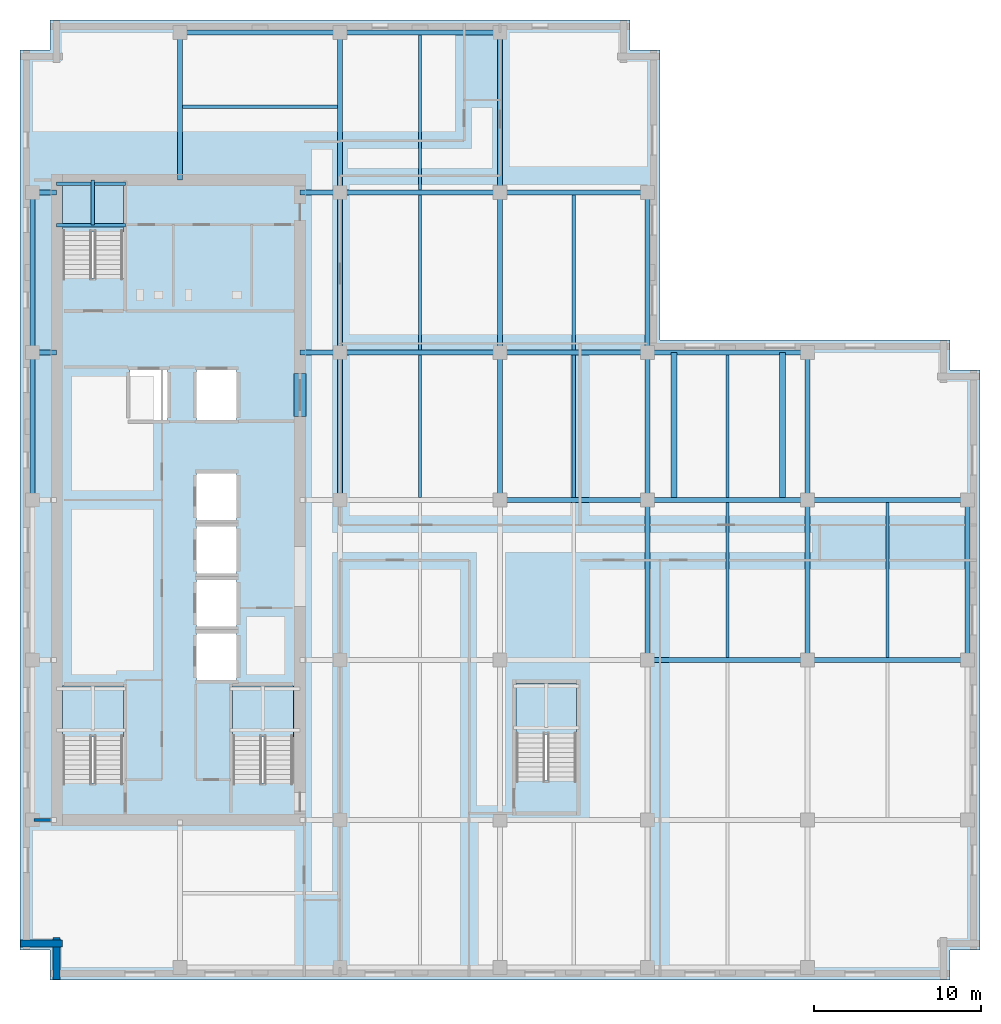
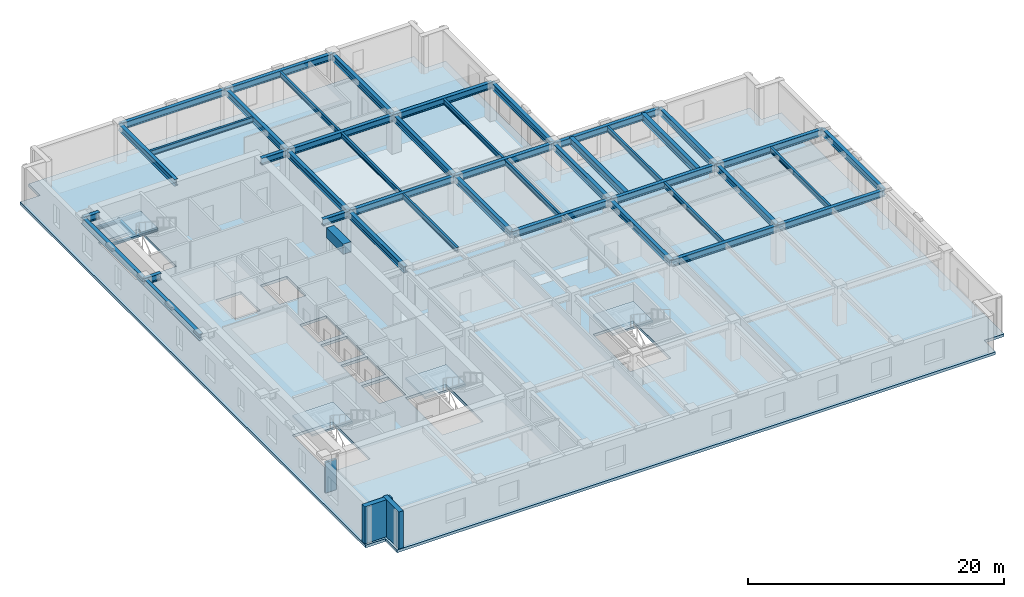
# One storey, part 2 of 14: 46 beams, 5 slabs, 3 walls, 4 elements without a shape of their own.
"""IFC4 building model written with IfcOpenShell, lengths in metres."""

from ifc_helpers import new_model, si_unit, direction, frame, frame_2d, origin, origin_2d, place, context, subcontext, project, spatial, polyline, rectangle, i_section, outline, extrude, material, layer, layer_set, material_profile, profile_set, type_object, element, aggregate, save


model = new_model("IFC4")

# Units and contexts
model_context = context("Model", 3, precision=1e-05, world=origin(), true_north=direction((0.0, 1.0)))
body_context = subcontext(model_context, "Body", "Model", "MODEL_VIEW")
ifc_project = project(units=[si_unit("LENGTHUNIT", "METRE"), si_unit("AREAUNIT", "SQUARE_METRE"), si_unit("VOLUMEUNIT", "CUBIC_METRE"), si_unit("PLANEANGLEUNIT", "RADIAN"), si_unit("MASSUNIT", "GRAM", prefix="KILO")], contexts=[model_context])

# Site, building, storey
site_placement = place(None, origin())
site = spatial("IfcSite", under=ifc_project, at=site_placement, CompositionType="ELEMENT")
building_placement = place(site_placement, origin())
building = spatial("IfcBuilding", under=site, at=building_placement, Name="Norrvale University Quadrangle", CompositionType="ELEMENT")
storey_placement = place(building_placement, frame((0.0, 0.0, 218.0)))
storey = spatial("IfcBuildingStorey", under=building, at=storey_placement, Name="L55", CompositionType="ELEMENT", Elevation=218.0)

# Beams
ifc_material_1 = material(Name="Steel 350W", Category="steel")
ifc_material_profile_1 = material_profile(ifc_material_1, i_section(OverallWidth=0.324951171875, OverallDepth=0.615966796875, WebThickness=0.013916015625, FlangeThickness=0.021484375, FilletRadius=0.01611328125, at=origin_2d()), Name="Steel 350W")
ifc_profile_set_1 = profile_set([ifc_material_profile_1], Name="Steel 350W")
beam_type_1 = type_object("IfcBeamType", Name="Beam Belt W610x174", PredefinedType="BEAM", material=ifc_profile_set_1)
for number, where, z_axis, x_axis, name in (
    (1, (37.64990234375, 19.199951171875, 3.23193359375), (1.0, 0.0, 0.0), (0.0, 1.0, 0.0), "Beam Belt W610x174 BM-L55-GX011"),
    (2, (47.25, 19.199951171875, 3.23193359375), (1.0, 0.0, 0.0), (0.0, 1.0, 0.0), "Beam Belt W610x174 BM-L55-GX012"),
):
    element("IfcBeam", number, at=place(storey_placement, frame(where, z_axis=z_axis, x_axis=x_axis)), inside=storey, type_object=beam_type_1, Name=name, PredefinedType="BEAM", context=body_context, shape_type="SweptSolid", body=[
        extrude(i_section(OverallWidth=0.324951171875, OverallDepth=0.615966796875, WebThickness=0.013916015625, FlangeThickness=0.021484375, FilletRadius=0.01611328125, at=origin_2d()), origin(), (0.0, 0.0, 1.0), 9.60009765625),
    ])
beam_1_placement = place(storey_placement, frame((28.800048828125, 28.800048828125, 3.23193359375), z_axis=(1.0, 0.0, 0.0), x_axis=(0.0, 1.0, 0.0)))
element("IfcBeam", 3, at=beam_1_placement, inside=storey, type_object=beam_type_1, Name="Beam Belt W610x174 BM-L55-GX014", PredefinedType="BEAM", context=body_context, shape_type="SweptSolid", body=[
    extrude(i_section(OverallWidth=0.324951171875, OverallDepth=0.615966796875, WebThickness=0.013916015625, FlangeThickness=0.021484375, FilletRadius=0.01611328125, at=origin_2d()), origin(), (0.0, 0.0, 1.0), 8.849853515625),
])
for number, where, z_axis, x_axis, name in (
    (4, (37.64990234375, 28.800048828125, 3.23193359375), (1.0, 0.0, 0.0), (0.0, 1.0, 0.0), "Beam Belt W610x174 BM-L55-GX015"),
    (5, (47.25, 28.800048828125, 3.23193359375), (1.0, 0.0, 0.0), (0.0, 1.0, 0.0), "Beam Belt W610x174 BM-L55-GX016"),
    (6, (19.199951171875, 37.64990234375, 3.23193359375), (1.0, 0.0, 0.0), (0.0, 1.0, 0.0), "Beam Belt W610x174 BM-L55-GX017"),
):
    element("IfcBeam", number, at=place(storey_placement, frame(where, z_axis=z_axis, x_axis=x_axis)), inside=storey, type_object=beam_type_1, Name=name, PredefinedType="BEAM", context=body_context, shape_type="SweptSolid", body=[
        extrude(i_section(OverallWidth=0.324951171875, OverallDepth=0.615966796875, WebThickness=0.013916015625, FlangeThickness=0.021484375, FilletRadius=0.01611328125, at=origin_2d()), origin(), (0.0, 0.0, 1.0), 9.60009765625),
    ])
beam_2_placement = place(storey_placement, frame((28.800048828125, 37.64990234375, 3.23193359375), z_axis=(1.0, 0.0, 0.0), x_axis=(0.0, 1.0, 0.0)))
element("IfcBeam", 7, at=beam_2_placement, inside=storey, type_object=beam_type_1, Name="Beam Belt W610x174 BM-L55-GX018", PredefinedType="BEAM", context=body_context, shape_type="SweptSolid", body=[
    extrude(i_section(OverallWidth=0.324951171875, OverallDepth=0.615966796875, WebThickness=0.013916015625, FlangeThickness=0.021484375, FilletRadius=0.01611328125, at=origin_2d()), origin(), (0.0, 0.0, 1.0), 8.849853515625),
])
for number, where, z_axis, x_axis, name in (
    (8, (37.64990234375, 37.64990234375, 3.19189453125), (1.0, 0.0, 0.0), (0.0, 1.0, 0.0), "Beam Belt W610x174 BM-L55-GX019"),
    (9, (19.199951171875, 47.25, 3.23193359375), (1.0, 0.0, 0.0), (0.0, 1.0, 0.0), "Beam Belt W610x174 BM-L55-GX020"),
):
    element("IfcBeam", number, at=place(storey_placement, frame(where, z_axis=z_axis, x_axis=x_axis)), inside=storey, type_object=beam_type_1, Name=name, PredefinedType="BEAM", context=body_context, shape_type="SweptSolid", body=[
        extrude(i_section(OverallWidth=0.324951171875, OverallDepth=0.615966796875, WebThickness=0.013916015625, FlangeThickness=0.021484375, FilletRadius=0.01611328125, at=origin_2d()), origin(), (0.0, 0.0, 1.0), 9.60009765625),
    ])
beam_3_placement = place(storey_placement, frame((28.800048828125, 47.25, 3.23193359375), z_axis=(1.0, 0.0, 0.0), x_axis=(0.0, 1.0, 0.0)))
element("IfcBeam", 10, at=beam_3_placement, inside=storey, type_object=beam_type_1, Name="Beam Belt W610x174 BM-L55-GX021", PredefinedType="BEAM", context=body_context, shape_type="SweptSolid", body=[
    extrude(i_section(OverallWidth=0.324951171875, OverallDepth=0.615966796875, WebThickness=0.013916015625, FlangeThickness=0.021484375, FilletRadius=0.01611328125, at=origin_2d()), origin(), (0.0, 0.0, 1.0), 8.849853515625),
])
beam_4_placement = place(storey_placement, frame((9.60009765625, 56.85009765625, 3.23193359375), z_axis=(1.0, 0.0, 0.0), x_axis=(0.0, 1.0, 0.0)))
element("IfcBeam", 11, at=beam_4_placement, inside=storey, type_object=beam_type_1, Name="Beam Belt W610x174 BM-L55-GX022", PredefinedType="BEAM", context=body_context, shape_type="SweptSolid", body=[
    extrude(i_section(OverallWidth=0.324951171875, OverallDepth=0.615966796875, WebThickness=0.013916015625, FlangeThickness=0.021484375, FilletRadius=0.01611328125, at=origin_2d()), origin(), (0.0, 0.0, 1.0), 9.599853515625),
])
beam_5_placement = place(storey_placement, frame((19.199951171875, 56.85009765625, 3.23193359375), z_axis=(1.0, 0.0, 0.0), x_axis=(0.0, 1.0, 0.0)))
element("IfcBeam", 12, at=beam_5_placement, inside=storey, type_object=beam_type_1, Name="Beam Belt W610x174 BM-L55-GX023", PredefinedType="BEAM", context=body_context, shape_type="SweptSolid", body=[
    extrude(i_section(OverallWidth=0.324951171875, OverallDepth=0.615966796875, WebThickness=0.013916015625, FlangeThickness=0.021484375, FilletRadius=0.01611328125, at=origin_2d()), origin(), (0.0, 0.0, 1.0), 9.60009765625),
])
beam_6_placement = place(storey_placement, frame((0.75, 28.800048828125, 3.23193359375), z_axis=(0.0, 1.0, 0.0), x_axis=(-1.0, 0.0, 0.0)))
element("IfcBeam", 13, at=beam_6_placement, inside=storey, type_object=beam_type_1, Name="Beam Belt W610x174 BM-L55-GY026", PredefinedType="BEAM", context=body_context, shape_type="SweptSolid", body=[
    extrude(i_section(OverallWidth=0.324951171875, OverallDepth=0.615966796875, WebThickness=0.013916015625, FlangeThickness=0.021484375, FilletRadius=0.01611328125, at=origin_2d()), origin(), (0.0, 0.0, 1.0), 8.849853515625),
])
beam_7_placement = place(storey_placement, frame((0.75, 37.64990234375, 3.23193359375), z_axis=(0.0, 1.0, 0.0), x_axis=(-1.0, 0.0, 0.0)))
element("IfcBeam", 14, at=beam_7_placement, inside=storey, type_object=beam_type_1, Name="Beam Belt W610x174 BM-L55-GY027", PredefinedType="BEAM", context=body_context, shape_type="SweptSolid", body=[
    extrude(i_section(OverallWidth=0.324951171875, OverallDepth=0.615966796875, WebThickness=0.013916015625, FlangeThickness=0.021484375, FilletRadius=0.01611328125, at=origin_2d()), origin(), (0.0, 0.0, 1.0), 9.60009765625),
])
beam_8_placement = place(storey_placement, frame((19.199951171875, 28.800048828125, 3.23193359375), z_axis=(0.0, 1.0, 0.0), x_axis=(-1.0, 0.0, 0.0)))
element("IfcBeam", 15, at=beam_8_placement, inside=storey, type_object=beam_type_1, Name="Beam Belt W610x174 BM-L55-GY031", PredefinedType="BEAM", context=body_context, shape_type="SweptSolid", body=[
    extrude(i_section(OverallWidth=0.324951171875, OverallDepth=0.615966796875, WebThickness=0.013916015625, FlangeThickness=0.021484375, FilletRadius=0.01611328125, at=origin_2d()), origin(), (0.0, 0.0, 1.0), 8.849853515625),
])
for number, where, z_axis, x_axis, name in (
    (16, (19.199951171875, 37.64990234375, 3.23193359375), (0.0, 1.0, 0.0), (-1.0, 0.0, 0.0), "Beam Belt W610x174 BM-L55-GY032"),
    (17, (19.199951171875, 47.25, 3.23193359375), (0.0, 1.0, 0.0), (-1.0, 0.0, 0.0), "Beam Belt W610x174 BM-L55-GY033"),
):
    element("IfcBeam", number, at=place(storey_placement, frame(where, z_axis=z_axis, x_axis=x_axis)), inside=storey, type_object=beam_type_1, Name=name, PredefinedType="BEAM", context=body_context, shape_type="SweptSolid", body=[
        extrude(i_section(OverallWidth=0.324951171875, OverallDepth=0.615966796875, WebThickness=0.013916015625, FlangeThickness=0.021484375, FilletRadius=0.01611328125, at=origin_2d()), origin(), (0.0, 0.0, 1.0), 9.60009765625),
    ])
beam_9_placement = place(storey_placement, frame((28.800048828125, 28.800048828125, 3.23193359375), z_axis=(0.0, 1.0, 0.0), x_axis=(-1.0, 0.0, 0.0)))
element("IfcBeam", 18, at=beam_9_placement, inside=storey, type_object=beam_type_1, Name="Beam Belt W610x174 BM-L55-GY037", PredefinedType="BEAM", context=body_context, shape_type="SweptSolid", body=[
    extrude(i_section(OverallWidth=0.324951171875, OverallDepth=0.615966796875, WebThickness=0.013916015625, FlangeThickness=0.021484375, FilletRadius=0.01611328125, at=origin_2d()), origin(), (0.0, 0.0, 1.0), 8.849853515625),
])
for number, where, z_axis, x_axis, name in (
    (19, (28.800048828125, 37.64990234375, 3.23193359375), (0.0, 1.0, 0.0), (-1.0, 0.0, 0.0), "Beam Belt W610x174 BM-L55-GY038"),
    (20, (28.800048828125, 47.25, 3.23193359375), (0.0, 1.0, 0.0), (-1.0, 0.0, 0.0), "Beam Belt W610x174 BM-L55-GY039"),
    (21, (37.64990234375, 19.199951171875, 3.23193359375), (0.0, 1.0, 0.0), (-1.0, 0.0, 0.0), "Beam Belt W610x174 BM-L55-GY042"),
):
    element("IfcBeam", number, at=place(storey_placement, frame(where, z_axis=z_axis, x_axis=x_axis)), inside=storey, type_object=beam_type_1, Name=name, PredefinedType="BEAM", context=body_context, shape_type="SweptSolid", body=[
        extrude(i_section(OverallWidth=0.324951171875, OverallDepth=0.615966796875, WebThickness=0.013916015625, FlangeThickness=0.021484375, FilletRadius=0.01611328125, at=origin_2d()), origin(), (0.0, 0.0, 1.0), 9.60009765625),
    ])
beam_10_placement = place(storey_placement, frame((37.64990234375, 28.800048828125, 3.23193359375), z_axis=(0.0, 1.0, 0.0), x_axis=(-1.0, 0.0, 0.0)))
element("IfcBeam", 22, at=beam_10_placement, inside=storey, type_object=beam_type_1, Name="Beam Belt W610x174 BM-L55-GY043", PredefinedType="BEAM", context=body_context, shape_type="SweptSolid", body=[
    extrude(i_section(OverallWidth=0.324951171875, OverallDepth=0.615966796875, WebThickness=0.013916015625, FlangeThickness=0.021484375, FilletRadius=0.01611328125, at=origin_2d()), origin(), (0.0, 0.0, 1.0), 8.849853515625),
])
for number, where, z_axis, x_axis, name in (
    (23, (37.64990234375, 37.64990234375, 3.23193359375), (0.0, 1.0, 0.0), (-1.0, 0.0, 0.0), "Beam Belt W610x174 BM-L55-GY044"),
    (24, (47.25, 19.199951171875, 3.23193359375), (0.0, 1.0, 0.0), (-1.0, 0.0, 0.0), "Beam Belt W610x174 BM-L55-GY047"),
):
    element("IfcBeam", number, at=place(storey_placement, frame(where, z_axis=z_axis, x_axis=x_axis)), inside=storey, type_object=beam_type_1, Name=name, PredefinedType="BEAM", context=body_context, shape_type="SweptSolid", body=[
        extrude(i_section(OverallWidth=0.324951171875, OverallDepth=0.615966796875, WebThickness=0.013916015625, FlangeThickness=0.021484375, FilletRadius=0.01611328125, at=origin_2d()), origin(), (0.0, 0.0, 1.0), 9.60009765625),
    ])
beam_11_placement = place(storey_placement, frame((47.25, 28.800048828125, 3.23193359375), z_axis=(0.0, 1.0, 0.0), x_axis=(-1.0, 0.0, 0.0)))
element("IfcBeam", 25, at=beam_11_placement, inside=storey, type_object=beam_type_1, Name="Beam Belt W610x174 BM-L55-GY048", PredefinedType="BEAM", context=body_context, shape_type="SweptSolid", body=[
    extrude(i_section(OverallWidth=0.324951171875, OverallDepth=0.615966796875, WebThickness=0.013916015625, FlangeThickness=0.021484375, FilletRadius=0.01611328125, at=origin_2d()), origin(), (0.0, 0.0, 1.0), 8.849853515625),
])
beam_12_placement = place(storey_placement, frame((56.85009765625, 19.199951171875, 3.23193359375), z_axis=(0.0, 1.0, 0.0), x_axis=(-1.0, 0.0, 0.0)))
element("IfcBeam", 26, at=beam_12_placement, inside=storey, type_object=beam_type_1, Name="Beam Belt W610x174 BM-L55-GY050", PredefinedType="BEAM", context=body_context, shape_type="SweptSolid", body=[
    extrude(i_section(OverallWidth=0.324951171875, OverallDepth=0.615966796875, WebThickness=0.013916015625, FlangeThickness=0.021484375, FilletRadius=0.01611328125, at=origin_2d()), origin(), (0.0, 0.0, 1.0), 9.60009765625),
])
beam_13_placement = place(storey_placement, frame((0.75, 37.64990234375, 3.23193359375), z_axis=(1.0, 0.0, 0.0), x_axis=(0.0, 1.0, 0.0)))
element("IfcBeam", 27, at=beam_13_placement, inside=storey, type_object=beam_type_1, Name="Beam Belt W610x174 BM-L55-GCW057", PredefinedType="BEAM", context=body_context, shape_type="SweptSolid", body=[
    extrude(i_section(OverallWidth=0.324951171875, OverallDepth=0.615966796875, WebThickness=0.013916015625, FlangeThickness=0.021484375, FilletRadius=0.01611328125, at=origin_2d()), origin(), (0.0, 0.0, 1.0), 1.449951171875),
])
beam_14_placement = place(storey_placement, frame((16.800048828125, 37.64990234375, 3.23193359375), z_axis=(1.0, 0.0, 0.0), x_axis=(0.0, 1.0, 0.0)))
element("IfcBeam", 28, at=beam_14_placement, inside=storey, type_object=beam_type_1, Name="Beam Belt W610x174 BM-L55-GCE058", PredefinedType="BEAM", context=body_context, shape_type="SweptSolid", body=[
    extrude(i_section(OverallWidth=0.324951171875, OverallDepth=0.615966796875, WebThickness=0.013916015625, FlangeThickness=0.021484375, FilletRadius=0.01611328125, at=origin_2d()), origin(), (0.0, 0.0, 1.0), 2.39990234375),
])
beam_15_placement = place(storey_placement, frame((0.75, 47.25, 3.23193359375), z_axis=(1.0, 0.0, 0.0), x_axis=(0.0, 1.0, 0.0)))
element("IfcBeam", 29, at=beam_15_placement, inside=storey, type_object=beam_type_1, Name="Beam Belt W610x174 BM-L55-GCW059", PredefinedType="BEAM", context=body_context, shape_type="SweptSolid", body=[
    extrude(i_section(OverallWidth=0.324951171875, OverallDepth=0.615966796875, WebThickness=0.013916015625, FlangeThickness=0.021484375, FilletRadius=0.01611328125, at=origin_2d()), origin(), (0.0, 0.0, 1.0), 1.449951171875),
])
beam_16_placement = place(storey_placement, frame((16.800048828125, 47.25, 3.23193359375), z_axis=(1.0, 0.0, 0.0), x_axis=(0.0, 1.0, 0.0)))
element("IfcBeam", 30, at=beam_16_placement, inside=storey, type_object=beam_type_1, Name="Beam Belt W610x174 BM-L55-GCE060", PredefinedType="BEAM", context=body_context, shape_type="SweptSolid", body=[
    extrude(i_section(OverallWidth=0.324951171875, OverallDepth=0.615966796875, WebThickness=0.013916015625, FlangeThickness=0.021484375, FilletRadius=0.01611328125, at=origin_2d()), origin(), (0.0, 0.0, 1.0), 2.39990234375),
])
beam_17_placement = place(storey_placement, frame((9.60009765625, 48.0, 3.23193359375), z_axis=(0.0, 1.0, 0.0), x_axis=(-1.0, 0.0, 0.0)))
element("IfcBeam", 31, at=beam_17_placement, inside=storey, type_object=beam_type_1, Name="Beam Belt W610x174 BM-L55-GCN079", PredefinedType="BEAM", context=body_context, shape_type="SweptSolid", body=[
    extrude(i_section(OverallWidth=0.324951171875, OverallDepth=0.615966796875, WebThickness=0.013916015625, FlangeThickness=0.021484375, FilletRadius=0.01611328125, at=origin_2d()), origin(), (0.0, 0.0, 1.0), 8.85009765625),
])
ifc_material_profile_2 = material_profile(ifc_material_1, i_section(OverallWidth=0.35498046875, OverallDepth=0.695068359375, WebThickness=0.015380859375, FlangeThickness=0.02490234375, FilletRadius=0.01806640625, at=origin_2d()), Name="Steel 350W")
ifc_profile_set_2 = profile_set([ifc_material_profile_2], Name="Steel 350W")
beam_type_2 = type_object("IfcBeamType", Name="Beam Belt W690x217", PredefinedType="BEAM", material=ifc_profile_set_2)
for number, where, z_axis, x_axis, name in (
    (32, (39.25, 28.800048828125, 3.152587890625), (0.0, 1.0, 0.0), (-1.0, 0.0, 0.0), "Sky Garden Loggia Edge Girder L56-1"),
    (33, (45.75, 28.800048828125, 3.152587890625), (0.0, 1.0, 0.0), (-1.0, 0.0, 0.0), "Sky Garden Loggia Edge Girder L56-2"),
):
    element("IfcBeam", number, at=place(storey_placement, frame(where, z_axis=z_axis, x_axis=x_axis)), inside=storey, type_object=beam_type_2, Name=name, PredefinedType="BEAM", context=body_context, shape_type="SweptSolid", body=[
        extrude(i_section(OverallWidth=0.35498046875, OverallDepth=0.695068359375, WebThickness=0.015380859375, FlangeThickness=0.02490234375, FilletRadius=0.01806640625, at=origin_2d()), origin(), (0.0, 0.0, 1.0), 8.849853515625),
    ])
ifc_material_2 = material(Name="Concrete C80/95", Category="concrete")
ifc_material_profile_3 = material_profile(ifc_material_2, rectangle(XDim=0.699951171875, YDim=0.949951171875, at=origin_2d()), Name="Concrete C80/95")
ifc_profile_set_3 = profile_set([ifc_material_profile_3], Name="Concrete C80/95")
beam_type_3 = type_object("IfcBeamType", Name="Beam Core Link 700x950", PredefinedType="LINTEL", material=ifc_profile_set_3)
beam_18_placement = place(storey_placement, frame((16.800048828125, 33.800048828125, 3.06494140625), z_axis=(0.0, 1.0, 0.0), x_axis=(-1.0, 0.0, 0.0)))
element("IfcBeam", 34, at=beam_18_placement, inside=storey, type_object=beam_type_3, Name="Core Coupling Lintel Beam L55-2", PredefinedType="LINTEL", context=body_context, shape_type="SweptSolid", body=[
    extrude(rectangle(XDim=0.699951171875, YDim=0.949951171875, at=origin_2d()), origin(), (0.0, 0.0, 1.0), 2.599853515625),
])
ifc_material_profile_4 = material_profile(ifc_material_1, i_section(OverallWidth=0.194091796875, OverallDepth=0.468994140625, WebThickness=0.0126953125, FlangeThickness=0.0205078125, FilletRadius=0.012939453125, at=origin_2d()), Name="Steel 350W")
ifc_profile_set_4 = profile_set([ifc_material_profile_4], Name="Steel 350W")
beam_type_4 = type_object("IfcBeamType", Name="Beam Floor W460x106", PredefinedType="BEAM", material=ifc_profile_set_4)
beam_19_placement = place(storey_placement, frame((24.0, 28.96240234375, 3.305419921875), z_axis=(0.0, 1.0, 0.0), x_axis=(-1.0, 0.0, 0.0)))
element("IfcBeam", 35, at=beam_19_placement, inside=storey, type_object=beam_type_4, Name="Beam Floor W460x106 BM-L55-J064", PredefinedType="BEAM", context=body_context, shape_type="SweptSolid", body=[
    extrude(i_section(OverallWidth=0.194091796875, OverallDepth=0.468994140625, WebThickness=0.0126953125, FlangeThickness=0.0205078125, FilletRadius=0.012939453125, at=origin_2d()), origin(), (0.0, 0.0, 1.0), 8.525146484375),
])
for number, where, z_axis, x_axis, name in (
    (36, (24.0, 37.8125, 3.305419921875), (0.0, 1.0, 0.0), (-1.0, 0.0, 0.0), "Beam Floor W460x106 BM-L55-J065"),
    (37, (24.0, 47.41259765625, 3.305419921875), (0.0, 1.0, 0.0), (-1.0, 0.0, 0.0), "Beam Floor W460x106 BM-L55-J066"),
):
    element("IfcBeam", number, at=place(storey_placement, frame(where, z_axis=z_axis, x_axis=x_axis)), inside=storey, type_object=beam_type_4, Name=name, PredefinedType="BEAM", context=body_context, shape_type="SweptSolid", body=[
        extrude(i_section(OverallWidth=0.194091796875, OverallDepth=0.468994140625, WebThickness=0.0126953125, FlangeThickness=0.0205078125, FilletRadius=0.012939453125, at=origin_2d()), origin(), (0.0, 0.0, 1.0), 9.27490234375),
    ])
beam_20_placement = place(storey_placement, frame((33.22509765625, 28.96240234375, 3.305419921875), z_axis=(0.0, 1.0, 0.0), x_axis=(-1.0, 0.0, 0.0)))
element("IfcBeam", 38, at=beam_20_placement, inside=storey, type_object=beam_type_4, Name="Beam Floor W460x106 BM-L55-J069", PredefinedType="BEAM", context=body_context, shape_type="SweptSolid", body=[
    extrude(i_section(OverallWidth=0.194091796875, OverallDepth=0.468994140625, WebThickness=0.0126953125, FlangeThickness=0.0205078125, FilletRadius=0.012939453125, at=origin_2d()), origin(), (0.0, 0.0, 1.0), 8.525146484375),
])
for number, where, z_axis, x_axis, name in (
    (39, (33.22509765625, 37.8125, 3.305419921875), (0.0, 1.0, 0.0), (-1.0, 0.0, 0.0), "Beam Floor W460x106 BM-L55-J070"),
    (40, (42.449951171875, 19.362548828125, 3.305419921875), (0.0, 1.0, 0.0), (-1.0, 0.0, 0.0), "Beam Floor W460x106 BM-L55-J073"),
):
    element("IfcBeam", number, at=place(storey_placement, frame(where, z_axis=z_axis, x_axis=x_axis)), inside=storey, type_object=beam_type_4, Name=name, PredefinedType="BEAM", context=body_context, shape_type="SweptSolid", body=[
        extrude(i_section(OverallWidth=0.194091796875, OverallDepth=0.468994140625, WebThickness=0.0126953125, FlangeThickness=0.0205078125, FilletRadius=0.012939453125, at=origin_2d()), origin(), (0.0, 0.0, 1.0), 9.27490234375),
    ])
beam_21_placement = place(storey_placement, frame((42.449951171875, 28.96240234375, 3.265380859375), z_axis=(0.0, 1.0, 0.0), x_axis=(-1.0, 0.0, 0.0)))
element("IfcBeam", 41, at=beam_21_placement, inside=storey, type_object=beam_type_4, Name="Beam Floor W460x106 BM-L55-J074", PredefinedType="BEAM", context=body_context, shape_type="SweptSolid", body=[
    extrude(i_section(OverallWidth=0.194091796875, OverallDepth=0.468994140625, WebThickness=0.0126953125, FlangeThickness=0.0205078125, FilletRadius=0.012939453125, at=origin_2d()), origin(), (0.0, 0.0, 1.0), 8.525146484375),
])
beam_22_placement = place(storey_placement, frame((52.050048828125, 19.362548828125, 3.305419921875), z_axis=(0.0, 1.0, 0.0), x_axis=(-1.0, 0.0, 0.0)))
element("IfcBeam", 42, at=beam_22_placement, inside=storey, type_object=beam_type_4, Name="Beam Floor W460x106 BM-L55-J076", PredefinedType="BEAM", context=body_context, shape_type="SweptSolid", body=[
    extrude(i_section(OverallWidth=0.194091796875, OverallDepth=0.468994140625, WebThickness=0.0126953125, FlangeThickness=0.0205078125, FilletRadius=0.012939453125, at=origin_2d()), origin(), (0.0, 0.0, 1.0), 9.27490234375),
])
beam_23_placement = place(storey_placement, frame((9.762451171875, 52.39990234375, 3.305419921875), z_axis=(1.0, 0.0, 0.0), x_axis=(0.0, 1.0, 0.0)))
element("IfcBeam", 43, at=beam_23_placement, inside=storey, type_object=beam_type_4, Name="Beam Floor W460x106 BM-L55-JCN080", PredefinedType="BEAM", context=body_context, shape_type="SweptSolid", body=[
    extrude(i_section(OverallWidth=0.194091796875, OverallDepth=0.468994140625, WebThickness=0.0126953125, FlangeThickness=0.0205078125, FilletRadius=0.012939453125, at=origin_2d()), origin(), (0.0, 0.0, 1.0), 9.275146484375),
])
ifc_material_profile_5 = material_profile(ifc_material_1, i_section(OverallWidth=0.201904296875, OverallDepth=0.2470703125, WebThickness=0.00732421875, FlangeThickness=0.010986328125, FilletRadius=0.011962890625, at=origin_2d()), Name="Steel 350W")
ifc_profile_set_5 = profile_set([ifc_material_profile_5], Name="Steel 350W")
beam_type_5 = type_object("IfcBeamType", Name="Beam Stair W250x49", PredefinedType="BEAM", material=ifc_profile_set_5)
for number, where, z_axis, x_axis, name in (
    (44, (2.199951171875, 45.2900390625, 1.576416015625), (1.0, 0.0, 0.0), (0.0, 1.0, 0.0), "Stair Mid-Landing Front Beam ST-02 L55"),
    (45, (2.199951171875, 47.77001953125, 1.576416015625), (1.0, 0.0, 0.0), (0.0, 1.0, 0.0), "Stair Mid-Landing Rear Beam ST-02 L55"),
):
    element("IfcBeam", number, at=place(storey_placement, frame(where, z_axis=z_axis, x_axis=x_axis)), inside=storey, type_object=beam_type_5, Name=name, PredefinedType="BEAM", context=body_context, shape_type="SweptSolid", body=[
        extrude(i_section(OverallWidth=0.201904296875, OverallDepth=0.2470703125, WebThickness=0.00732421875, FlangeThickness=0.010986328125, FilletRadius=0.011962890625, at=origin_2d()), origin(), (0.0, 0.0, 1.0), 4.14013671875),
    ])
ifc_material_profile_6 = material_profile(ifc_material_1, i_section(OverallWidth=0.202880859375, OverallDepth=0.202880859375, WebThickness=0.007080078125, FlangeThickness=0.010986328125, FilletRadius=0.010009765625, at=origin_2d()), Name="Steel 350W")
ifc_profile_set_6 = profile_set([ifc_material_profile_6], Name="Steel 350W")
beam_type_6 = type_object("IfcBeamType", Name="Beam Trim W200x46", PredefinedType="BEAM", material=ifc_profile_set_6)
beam_24_placement = place(storey_placement, frame((4.375, 45.2900390625, 1.598388671875), z_axis=(0.0, 1.0, 0.0), x_axis=(-1.0, 0.0, 0.0)))
element("IfcBeam", 46, at=beam_24_placement, inside=storey, type_object=beam_type_6, Name="Stair Mid-Landing Cross Beam ST-02 L55", PredefinedType="BEAM", context=body_context, shape_type="SweptSolid", body=[
    extrude(i_section(OverallWidth=0.202880859375, OverallDepth=0.202880859375, WebThickness=0.007080078125, FlangeThickness=0.010986328125, FilletRadius=0.010009765625, at=origin_2d()), origin(), (0.0, 0.0, 1.0), 2.7099609375),
])

# Stair, slab
ifc_material_3 = material(Name="Concrete C40/50", Category="concrete")
stair_type = type_object("IfcStairType", Name="Stair Tower Typ 3800", PredefinedType="TWO_STRAIGHT_RUN_STAIR", material=ifc_material_3)
stair_1_placement = place(storey_placement, origin())
stair_1 = element("IfcStair", 47, at=stair_1_placement, inside=storey, type_object=stair_type, Name="Exit Stair ST-01 L55", PredefinedType="TWO_STRAIGHT_RUN_STAIR")
ifc_layer_1 = layer(ifc_material_3, 0.199951171875, Name="Concrete C40/50")
ifc_layer_set_1 = layer_set([ifc_layer_1], Name="Concrete C40/50")
slab_type_1 = type_object("IfcSlabType", Name="Slab Landing 200", PredefinedType="LANDING", material=ifc_layer_set_1)
slab_1_placement = place(storey_placement, frame((0.0, 0.0, 1.699951171875)))
slab_1 = element("IfcSlab", 48, at=slab_1_placement, type_object=slab_type_1, Name="Exit Stair ST-01 L55 Mid Landing", PredefinedType="LANDING", context=body_context, shape_type="SweptSolid", body=[
    extrude(outline(polyline([(2.550048828125, 14.590087890625), (6.199951171875, 14.590087890625), (6.199951171875, 17.64990234375), (2.550048828125, 17.64990234375), (2.550048828125, 14.590087890625)])), origin(), (0.0, 0.0, 1.0), 0.199951171875),
])
aggregate(stair_1, [slab_1])

stair_2_placement = place(storey_placement, origin())
stair_2 = element("IfcStair", 49, at=stair_2_placement, inside=storey, type_object=stair_type, Name="Exit Stair ST-02 L55", PredefinedType="TWO_STRAIGHT_RUN_STAIR")
slab_2_placement = place(storey_placement, frame((0.0, 0.0, 1.699951171875)))
slab_2 = element("IfcSlab", 50, at=slab_2_placement, type_object=slab_type_1, Name="Exit Stair ST-02 L55 Mid Landing", PredefinedType="LANDING", context=body_context, shape_type="SweptSolid", body=[
    extrude(outline(polyline([(2.550048828125, 44.889892578125), (6.199951171875, 44.889892578125), (6.199951171875, 47.949951171875), (2.550048828125, 47.949951171875), (2.550048828125, 44.889892578125)])), origin(), (0.0, 0.0, 1.0), 0.199951171875),
])
aggregate(stair_2, [slab_2])

stair_3_placement = place(storey_placement, origin())
stair_3 = element("IfcStair", 51, at=stair_3_placement, inside=storey, type_object=stair_type, Name="Exit Stair ST-03 L55", PredefinedType="TWO_STRAIGHT_RUN_STAIR")
slab_3_placement = place(storey_placement, frame((0.0, 0.0, 1.699951171875)))
slab_3 = element("IfcSlab", 52, at=slab_3_placement, type_object=slab_type_1, Name="Exit Stair ST-03 L55 Mid Landing", PredefinedType="LANDING", context=body_context, shape_type="SweptSolid", body=[
    extrude(outline(polyline([(12.75, 14.590087890625), (16.39990234375, 14.590087890625), (16.39990234375, 17.64990234375), (12.75, 17.64990234375), (12.75, 14.590087890625)])), origin(), (0.0, 0.0, 1.0), 0.199951171875),
])
aggregate(stair_3, [slab_3])

stair_4_placement = place(storey_placement, origin())
stair_4 = element("IfcStair", 53, at=stair_4_placement, inside=storey, type_object=stair_type, Name="Exit Stair ST-04 L55", PredefinedType="TWO_STRAIGHT_RUN_STAIR")
slab_4_placement = place(storey_placement, frame((0.0, 0.0, 1.699951171875)))
slab_4 = element("IfcSlab", 54, at=slab_4_placement, type_object=slab_type_1, Name="Exit Stair ST-04 L55 Mid Landing", PredefinedType="LANDING", context=body_context, shape_type="SweptSolid", body=[
    extrude(outline(polyline([(29.75, 14.739990234375), (33.39990234375, 14.739990234375), (33.39990234375, 17.800048828125), (29.75, 17.800048828125), (29.75, 14.739990234375)])), origin(), (0.0, 0.0, 1.0), 0.199951171875),
])
aggregate(stair_4, [slab_4])

# Slab
ifc_layer_2 = layer(ifc_material_3, 0.260009765625, Name="Concrete C40/50")
ifc_layer_set_2 = layer_set([ifc_layer_2], Name="Concrete C40/50")
slab_type_2 = type_object("IfcSlabType", Name="Slab Tower Typ 260", PredefinedType="FLOOR", material=ifc_layer_set_2)
slab_5_placement = place(storey_placement, frame((0.0, 0.0, -0.260009765625)))
element("IfcSlab", 55, at=slab_5_placement, inside=storey, type_object=slab_type_2, Name="Tower L55 Floor Slab", PredefinedType="FLOOR", context=body_context, shape_type="SweptSolid", body=[
    extrude(outline(polyline([(1.800048828125, 0.0), (55.800048828125, 0.0), (55.800048828125, 1.800048828125), (57.60009765625, 1.800048828125), (57.60009765625, 36.60009765625), (55.800048828125, 36.60009765625), (55.800048828125, 38.39990234375), (38.39990234375, 38.39990234375), (38.39990234375, 55.800048828125), (36.60009765625, 55.800048828125), (36.60009765625, 57.60009765625), (1.800048828125, 57.60009765625), (1.800048828125, 55.800048828125), (0.0, 55.800048828125), (0.0, 1.800048828125), (1.800048828125, 1.800048828125), (1.800048828125, 0.0)]), holes=[polyline([(2.550048828125, 11.81005859375), (6.199951171875, 11.81005859375), (6.199951171875, 17.64990234375), (2.550048828125, 17.64990234375), (2.550048828125, 11.81005859375)]), polyline([(2.550048828125, 42.110107421875), (6.199951171875, 42.110107421875), (6.199951171875, 47.949951171875), (2.550048828125, 47.949951171875), (2.550048828125, 42.110107421875)]), polyline([(12.75, 11.81005859375), (16.39990234375, 11.81005859375), (16.39990234375, 17.64990234375), (12.75, 17.64990234375), (12.75, 11.81005859375)]), polyline([(29.75, 11.9599609375), (33.39990234375, 11.9599609375), (33.39990234375, 17.800048828125), (29.75, 17.800048828125), (29.75, 11.9599609375)]), polyline([(10.60009765625, 18.0), (13.0, 18.0), (13.0, 20.800048828125), (10.60009765625, 20.800048828125), (10.60009765625, 18.0)]), polyline([(10.60009765625, 21.199951171875), (13.0, 21.199951171875), (13.0, 24.0), (10.60009765625, 24.0), (10.60009765625, 21.199951171875)]), polyline([(10.60009765625, 24.39990234375), (13.0, 24.39990234375), (13.0, 27.199951171875), (10.60009765625, 27.199951171875), (10.60009765625, 24.39990234375)]), polyline([(10.60009765625, 27.60009765625), (13.0, 27.60009765625), (13.0, 30.39990234375), (10.60009765625, 30.39990234375), (10.60009765625, 27.60009765625)]), polyline([(6.60009765625, 33.60009765625), (8.85009765625, 33.60009765625), (8.85009765625, 36.60009765625), (6.60009765625, 36.60009765625), (6.60009765625, 33.60009765625)]), polyline([(10.60009765625, 33.60009765625), (13.0, 33.60009765625), (13.0, 36.60009765625), (10.60009765625, 36.60009765625), (10.60009765625, 33.60009765625)])]), origin(), (0.0, 0.0, 1.0), 0.260009765625),
])

# Walls
ifc_material_4 = material(Name="Buff Norman Clay Brick Masonry", Category="masonry")
ifc_layer_3 = layer(ifc_material_4, 0.419921875, Name="Buff Norman Clay Brick Masonry")
ifc_layer_set_3 = layer_set([ifc_layer_3], Name="Buff Norman Clay Brick Masonry")
wall_type_1 = type_object("IfcWallType", Name="Wall Buff Brick 420", PredefinedType="SOLIDWALL", material=ifc_layer_set_3)
for number, where, z_axis, x_axis, name in (
    (56, (0.0400390625, 2.18994140625, 0.0), (0.0, 0.0, 1.0), (1.0, 0.0, 0.0), "Exterior Brick Facade Wall L55-15.1"),
    (57, (2.18994140625, 2.5400390625, 0.0), (0.0, 0.0, 1.0), (0.0, -1.0, 0.0), "Exterior Brick Facade Wall L55-16.1"),
):
    element("IfcWall", number, at=place(storey_placement, frame(where, z_axis=z_axis, x_axis=x_axis)), inside=storey, type_object=wall_type_1, Name=name, PredefinedType="SOLIDWALL", context=body_context, shape_type="SweptSolid", body=[
        extrude(rectangle(XDim=2.5, YDim=0.419921875, at=frame_2d((1.25, 0.0))), origin(), (0.0, 0.0, 1.0), 3.5400390625),
    ])
ifc_material_5 = material(Name="Concrete Blockwork 20 MPa Rated Wall", Category="masonry")
ifc_layer_4 = layer(ifc_material_5, 0.199951171875, Name="Concrete Blockwork 20 MPa Rated Wall")
ifc_layer_set_4 = layer_set([ifc_layer_4], Name="Concrete Blockwork 20 MPa Rated Wall")
wall_type_2 = type_object("IfcWallType", Name="Wall Lobby 200", PredefinedType="SOLIDWALL", material=ifc_layer_set_4)
wall_placement = place(storey_placement, frame((0.85009765625, 9.60009765625, 0.0), z_axis=(0.0, 0.0, 1.0), x_axis=(1.0, 0.0, 0.0)))
element("IfcWall", 58, at=wall_placement, inside=storey, type_object=wall_type_2, Name="Interior Partition WL-L55-CWRET-S", PredefinedType="SOLIDWALL", context=body_context, shape_type="SweptSolid", body=[
    extrude(rectangle(XDim=0.994873046875, YDim=0.199951171875, at=frame_2d((0.49755859375, 0.0))), origin(), (0.0, 0.0, 1.0), 2.924072265625),
])

save(model, "model.ifc")
